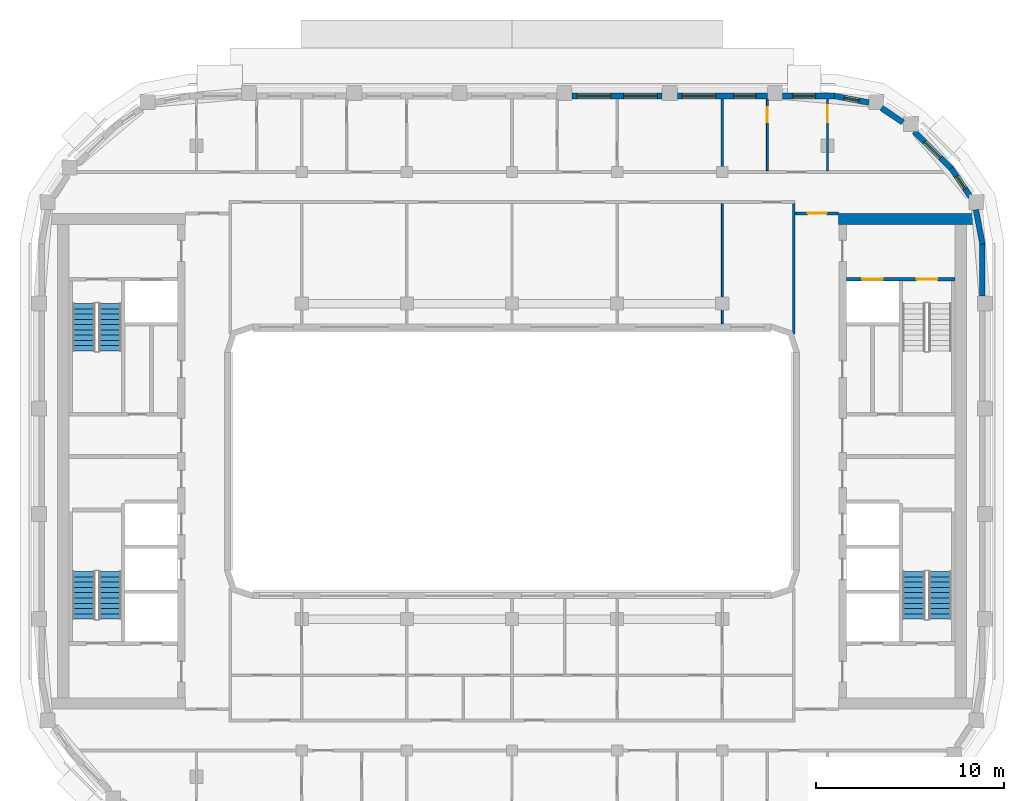
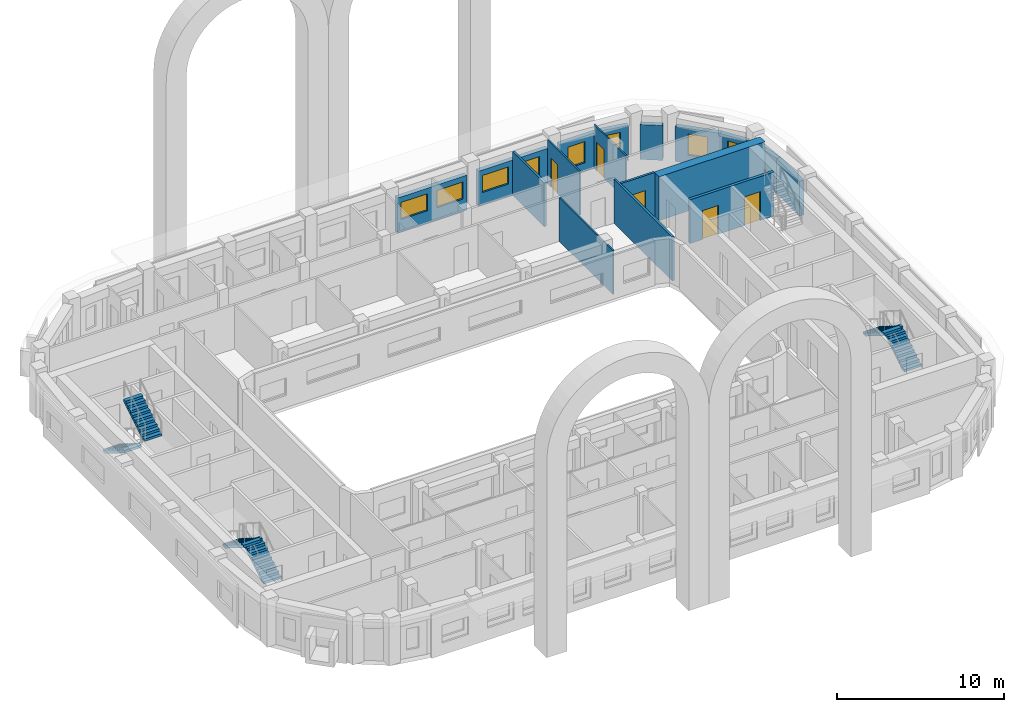
# One storey, part 8 of 18: 17 walls, 8 windows, 6 stair flights, 5 doors, 13 openings, 3 elements without a shape of their own.
"""IFC4 building model written with IfcOpenShell, lengths in metres."""

from ifc_helpers import new_model, si_unit, direction, frame, frame_2d, origin, place, context, subcontext, project, spatial, polyline, rectangle, outline, extrude, material, layer, layer_set, type_object, element, fill, aggregate, save


model = new_model("IFC4")

# Units and contexts
model_context = context("Model", 3, precision=1e-05, world=origin(), true_north=direction((0.0, 1.0)))
body_context = subcontext(model_context, "Body", "Model", "MODEL_VIEW")
ifc_project = project(units=[si_unit("LENGTHUNIT", "METRE"), si_unit("AREAUNIT", "SQUARE_METRE"), si_unit("VOLUMEUNIT", "CUBIC_METRE"), si_unit("PLANEANGLEUNIT", "RADIAN"), si_unit("MASSUNIT", "GRAM", prefix="KILO")], contexts=[model_context])

# Site, building, storey
site_placement = place(None, origin())
site = spatial("IfcSite", under=ifc_project, at=site_placement, CompositionType="ELEMENT")
building_placement = place(site_placement, origin())
building = spatial("IfcBuilding", under=site, at=building_placement, Name="Kiln Ring Residences", CompositionType="ELEMENT")
storey_placement = place(building_placement, frame((0.0, 0.0, 262.699951171875)))
storey = spatial("IfcBuildingStorey", under=building, at=storey_placement, Name="L68", CompositionType="ELEMENT", Elevation=262.699951171875)

# Wall, openings, doors
ifc_material_1 = material(Name="Concrete C40/50", Category="concrete")
ifc_layer_1 = layer(ifc_material_1, 0.199951171875)
ifc_layer_set_1 = layer_set([ifc_layer_1], Name="CORE-WALL-RC200")
wall_type_1 = type_object("IfcWallType", Name="CORE-WALL-RC200", PredefinedType="SHEAR", material=ifc_layer_set_1)
wall_1_placement = place(storey_placement, frame((17.800048828125, 9.699951171875, 0.0), z_axis=(0.0, 0.0, 1.0), x_axis=(1.0, 0.0, 0.0)))
wall_1 = element("IfcWall", 1, at=wall_1_placement, inside=storey, type_object=wall_type_1, Name="Core wall east L68 9", PredefinedType="SHEAR", context=body_context, shape_type="SweptSolid", body=[
    extrude(rectangle(XDim=5.800048828125, YDim=0.199951171875, at=frame_2d((2.89990234375, 0.0))), origin(), (0.0, 0.0, 1.0), 3.199951171875),
])
opening_1_placement = place(wall_1_placement, frame((0.85009765625, 0.0, 0.0)))
opening_1 = element("IfcOpeningElement", 2, at=opening_1_placement, cuts=wall_1, Name="Opening L68-CE07", PredefinedType="OPENING", context=body_context, shape_type="SweptSolid", body=[
    extrude(rectangle(XDim=1.10009765625, YDim=2.10009765625, at=frame_2d((0.550048828125, 1.050048828125))), frame((0.0, 0.10986328125, 0.0), z_axis=(0.0, -1.0, 0.0), x_axis=(1.0, 0.0, 0.0)), (0.0, 0.0, 1.0), 0.219970703125),
])
opening_2_placement = place(wall_1_placement, frame((3.75, 0.0, 0.0)))
opening_2 = element("IfcOpeningElement", 3, at=opening_2_placement, cuts=wall_1, Name="Opening L68-CE10", PredefinedType="OPENING", context=body_context, shape_type="SweptSolid", body=[
    extrude(rectangle(XDim=1.10009765625, YDim=2.10009765625, at=frame_2d((0.550048828125, 1.050048828125))), frame((0.0, 0.10986328125, 0.0), z_axis=(0.0, -1.0, 0.0), x_axis=(1.0, 0.0, 0.0)), (0.0, 0.0, 1.0), 0.219970703125),
])
ifc_material_2 = material(Name="Steel door leaf", Category="steel")
door_type_1 = type_object("IfcDoorType", Name="CORE-DOOR-LD", OperationType="DOUBLE_DOOR_SLIDING", PredefinedType="DOOR", material=ifc_material_2)
door_1_placement = place(opening_1_placement, origin())
door_1 = element("IfcDoor", 4, at=door_1_placement, inside=storey, type_object=door_type_1, Name="LD E-FF L68-CE07", OperationType="DOUBLE_DOOR_SLIDING", OverallHeight=2.10009765625, OverallWidth=1.10009765625, PredefinedType="DOOR", context=body_context, shape_type="SweptSolid", body=[
    extrude(rectangle(XDim=1.10009765625, YDim=2.10009765625, at=frame_2d((0.550048828125, 1.050048828125))), frame((0.0, 0.02490234375, 0.0), z_axis=(0.0, -1.0, 0.0), x_axis=(1.0, 0.0, 0.0)), (0.0, 0.0, 1.0), 0.050048828125),
])
fill(opening_1, door_1)
ifc_material_3 = material(Name="Steel door leaf", Category="steel")
door_type_2 = type_object("IfcDoorType", Name="CORE-DOOR-STAIR", OperationType="SINGLE_SWING_LEFT", PredefinedType="DOOR", material=ifc_material_3)
door_2_placement = place(opening_2_placement, origin())
door_2 = element("IfcDoor", 5, at=door_2_placement, inside=storey, type_object=door_type_2, Name="Stair E-STN L68-CE10", OperationType="SINGLE_SWING_LEFT", OverallHeight=2.10009765625, OverallWidth=1.10009765625, PredefinedType="DOOR", context=body_context, shape_type="SweptSolid", body=[
    extrude(rectangle(XDim=1.10009765625, YDim=2.10009765625, at=frame_2d((0.550048828125, 1.050048828125))), frame((0.0, 0.02490234375, 0.0), z_axis=(0.0, -1.0, 0.0), x_axis=(1.0, 0.0, 0.0)), (0.0, 0.0, 1.0), 0.050048828125),
])
fill(opening_2, door_2)

# Walls
ifc_material_4 = material(Name="Concrete C60/75", Category="concrete")
ifc_layer_2 = layer(ifc_material_4, 0.60009765625)
ifc_layer_set_2 = layer_set([ifc_layer_2], Name="CORE-WALL-RC600")
wall_type_2 = type_object("IfcWallType", Name="CORE-WALL-RC600", PredefinedType="SHEAR", material=ifc_layer_set_2)
wall_2_placement = place(storey_placement, frame((17.39990234375, 12.89990234375, 0.0), z_axis=(0.0, 0.0, 1.0), x_axis=(1.0, 0.0, 0.0)))
element("IfcWall", 6, at=wall_2_placement, inside=storey, type_object=wall_type_2, Name="Core wall east L68 4", PredefinedType="SHEAR", context=body_context, shape_type="SweptSolid", body=[
    extrude(rectangle(XDim=7.320068359375, YDim=0.60009765625, at=frame_2d((3.66015625, 0.0))), origin(), (0.0, 0.0, 1.0), 3.199951171875),
])
ifc_material_5 = material(Name="Brick masonry, dark clay brick", Category="masonry")
ifc_layer_3 = layer(ifc_material_5, 0.300048828125)
ifc_layer_set_3 = layer_set([ifc_layer_3], Name="EW-300 BRICK WALL")
wall_type_3 = type_object("IfcWallType", Name="EW-300 BRICK WALL", PredefinedType="SOLIDWALL", material=ifc_layer_set_3)
wall_3_placement = place(storey_placement, frame((25.050048828125, 8.800048828125, 0.0), z_axis=(0.0, 0.0, 1.0), x_axis=(0.0, 1.0, 0.0)))
element("IfcWall", 7, at=wall_3_placement, inside=storey, type_object=wall_type_3, Name="Facade wall L68 20", PredefinedType="SOLIDWALL", context=body_context, shape_type="SweptSolid", body=[
    extrude(rectangle(XDim=2.800048828125, YDim=0.300048828125, at=frame_2d((1.39990234375, 0.0))), origin(), (0.0, 0.0, 1.0), 2.550048828125),
])
wall_4_placement = place(storey_placement, frame((25.052734375, 11.57177734375, 0.0), z_axis=(0.0, 0.0, 1.0), x_axis=(-0.187408222942, 0.982282117303, 0.0)))
element("IfcWall", 8, at=wall_4_placement, inside=storey, type_object=wall_type_3, Name="Facade wall L68 21", PredefinedType="SOLIDWALL", context=body_context, shape_type="SweptSolid", body=[
    extrude(rectangle(XDim=1.8564453125, YDim=0.300048828125, at=frame_2d((0.92822265625, 0.0))), origin(), (0.0, 0.0, 1.0), 2.550048828125),
])

# Wall, opening, window
wall_5_placement = place(storey_placement, frame((24.422119140625, 14.07763671875, 0.0), z_axis=(0.0, 0.0, 1.0), x_axis=(-0.562054549384, 0.827100165347, 0.0)))
wall_5 = element("IfcWall", 9, at=wall_5_placement, inside=storey, type_object=wall_type_3, Name="Facade wall L68 22", PredefinedType="SOLIDWALL", context=body_context, shape_type="SweptSolid", body=[
    extrude(rectangle(XDim=1.85595703125, YDim=0.300048828125, at=frame_2d((0.927978515625, 0.0))), origin(), (0.0, 0.0, 1.0), 2.550048828125),
])
opening_3_placement = place(wall_5_placement, frame((0.528076171875, 0.0, 0.60009765625)))
opening_3 = element("IfcOpeningElement", 10, at=opening_3_placement, cuts=wall_5, Name="Opening W5", PredefinedType="OPENING", context=body_context, shape_type="SweptSolid", body=[
    extrude(rectangle(XDim=0.800048828125, YDim=1.550048828125, at=frame_2d((0.39990234375, 0.77490234375))), frame((0.0, 0.159912109375, 0.0), z_axis=(0.0, -1.0, 0.0), x_axis=(1.0, 0.0, 0.0)), (0.0, 0.0, 1.0), 0.320068359375),
])
ifc_material_6 = material(Name="Aluminium frame with double glazing", Category="aluminium")
window_type_1 = type_object("IfcWindowType", Name="WINDOW 800 x 1550", PartitioningType="SINGLE_PANEL", PredefinedType="WINDOW", material=ifc_material_6)
window_1_placement = place(opening_3_placement, origin())
window_1 = element("IfcWindow", 11, at=window_1_placement, inside=storey, type_object=window_type_1, Name="Window L68 18", OverallHeight=1.550048828125, OverallWidth=0.800048828125, PartitioningType="SINGLE_PANEL", PredefinedType="WINDOW", context=body_context, shape_type="SweptSolid", body=[
    extrude(rectangle(XDim=0.800048828125, YDim=1.550048828125, at=frame_2d((0.39990234375, 0.77490234375))), frame((0.0, 0.030029296875, 0.0), z_axis=(0.0, -1.0, 0.0), x_axis=(1.0, 0.0, 0.0)), (0.0, 0.0, 1.0), 0.06005859375),
])
fill(opening_3, window_1)

wall_6_placement = place(storey_placement, frame((23.39697265625, 15.591064453125, 0.0), z_axis=(0.0, 0.0, 1.0), x_axis=(-0.707150377276, 0.707063182409, 0.0)))
wall_6 = element("IfcWall", 12, at=wall_6_placement, inside=storey, type_object=wall_type_3, Name="Facade wall L68 23", PredefinedType="SOLIDWALL", context=body_context, shape_type="SweptSolid", body=[
    extrude(rectangle(XDim=2.800048828125, YDim=0.300048828125, at=frame_2d((1.39990234375, 0.0))), origin(), (0.0, 0.0, 1.0), 2.550048828125),
])
opening_4_placement = place(wall_6_placement, frame((0.800048828125, 0.0, 0.60009765625)))
opening_4 = element("IfcOpeningElement", 13, at=opening_4_placement, cuts=wall_6, Name="Opening W1", PredefinedType="OPENING", context=body_context, shape_type="SweptSolid", body=[
    extrude(rectangle(XDim=1.199951171875, YDim=1.550048828125, at=frame_2d((0.60009765625, 0.77490234375))), frame((0.0, 0.159912109375, 0.0), z_axis=(0.0, -1.0, 0.0), x_axis=(1.0, 0.0, 0.0)), (0.0, 0.0, 1.0), 0.320068359375),
])
ifc_material_7 = material(Name="Aluminium frame with double glazing", Category="aluminium")
window_type_2 = type_object("IfcWindowType", Name="WINDOW 1200 x 1550", PartitioningType="SINGLE_PANEL", PredefinedType="WINDOW", material=ifc_material_7)
window_2_placement = place(opening_4_placement, origin())
window_2 = element("IfcWindow", 14, at=window_2_placement, inside=storey, type_object=window_type_2, Name="Window L68 19", OverallHeight=1.550048828125, OverallWidth=1.199951171875, PartitioningType="SINGLE_PANEL", PredefinedType="WINDOW", context=body_context, shape_type="SweptSolid", body=[
    extrude(rectangle(XDim=1.199951171875, YDim=1.550048828125, at=frame_2d((0.60009765625, 0.77490234375))), frame((0.0, 0.030029296875, 0.0), z_axis=(0.0, -1.0, 0.0), x_axis=(1.0, 0.0, 0.0)), (0.0, 0.0, 1.0), 0.06005859375),
])
fill(opening_4, window_2)

# Wall
wall_7_placement = place(storey_placement, frame((20.816650390625, 18.048095703125, 0.0), z_axis=(0.0, 0.0, 1.0), x_axis=(-0.827025410886, 0.562164539747, 0.0)))
element("IfcWall", 15, at=wall_7_placement, inside=storey, type_object=wall_type_3, Name="Facade wall L68 24", PredefinedType="SOLIDWALL", context=body_context, shape_type="SweptSolid", body=[
    extrude(rectangle(XDim=1.377197265625, YDim=0.300048828125, at=frame_2d((0.6884765625, 0.0))), origin(), (0.0, 0.0, 1.0), 2.550048828125),
])

# Wall, opening, window
wall_8_placement = place(storey_placement, frame((18.9951171875, 19.10498046875, 0.0), z_axis=(0.0, 0.0, 1.0), x_axis=(-0.982301706131, 0.187305520826, 0.0)))
wall_8 = element("IfcWall", 16, at=wall_8_placement, inside=storey, type_object=wall_type_3, Name="Facade wall L68 25", PredefinedType="SOLIDWALL", context=body_context, shape_type="SweptSolid", body=[
    extrude(rectangle(XDim=1.856201171875, YDim=0.300048828125, at=frame_2d((0.92822265625, 0.0))), origin(), (0.0, 0.0, 1.0), 2.550048828125),
])
opening_5_placement = place(wall_8_placement, frame((0.528076171875, 0.0, 0.60009765625)))
opening_5 = element("IfcOpeningElement", 17, at=opening_5_placement, cuts=wall_8, Name="Opening W5", PredefinedType="OPENING", context=body_context, shape_type="SweptSolid", body=[
    extrude(rectangle(XDim=0.800048828125, YDim=1.550048828125, at=frame_2d((0.39990234375, 0.77490234375))), frame((0.0, 0.159912109375, 0.0), z_axis=(0.0, -1.0, 0.0), x_axis=(1.0, 0.0, 0.0)), (0.0, 0.0, 1.0), 0.320068359375),
])
window_3_placement = place(opening_5_placement, origin())
window_3 = element("IfcWindow", 18, at=window_3_placement, inside=storey, type_object=window_type_1, Name="Window L68 20", OverallHeight=1.550048828125, OverallWidth=0.800048828125, PartitioningType="SINGLE_PANEL", PredefinedType="WINDOW", context=body_context, shape_type="SweptSolid", body=[
    extrude(rectangle(XDim=0.800048828125, YDim=1.550048828125, at=frame_2d((0.39990234375, 0.77490234375))), frame((0.0, 0.030029296875, 0.0), z_axis=(0.0, -1.0, 0.0), x_axis=(1.0, 0.0, 0.0)), (0.0, 0.0, 1.0), 0.06005859375),
])
fill(opening_5, window_3)

wall_9_placement = place(storey_placement, frame((17.199951171875, 19.449951171875, 0.0), z_axis=(0.0, 0.0, 1.0), x_axis=(-1.0, 0.0, 0.0)))
wall_9 = element("IfcWall", 19, at=wall_9_placement, inside=storey, type_object=wall_type_3, Name="Facade wall L68 26", PredefinedType="SOLIDWALL", context=body_context, shape_type="SweptSolid", body=[
    extrude(rectangle(XDim=2.800048828125, YDim=0.300048828125, at=frame_2d((1.39990234375, 0.0))), origin(), (0.0, 0.0, 1.0), 2.550048828125),
])
opening_6_placement = place(wall_9_placement, frame((1.03759765625, 0.0, 0.60009765625)))
opening_6 = element("IfcOpeningElement", 20, at=opening_6_placement, cuts=wall_9, Name="Opening W1", PredefinedType="OPENING", context=body_context, shape_type="SweptSolid", body=[
    extrude(rectangle(XDim=1.199951171875, YDim=1.550048828125, at=frame_2d((0.60009765625, 0.77490234375))), frame((0.0, 0.159912109375, 0.0), z_axis=(0.0, -1.0, 0.0), x_axis=(1.0, 0.0, 0.0)), (0.0, 0.0, 1.0), 0.320068359375),
])
window_4_placement = place(opening_6_placement, origin())
window_4 = element("IfcWindow", 21, at=window_4_placement, inside=storey, type_object=window_type_2, Name="Window L68 21", OverallHeight=1.550048828125, OverallWidth=1.199951171875, PartitioningType="SINGLE_PANEL", PredefinedType="WINDOW", context=body_context, shape_type="SweptSolid", body=[
    extrude(rectangle(XDim=1.199951171875, YDim=1.550048828125, at=frame_2d((0.60009765625, 0.77490234375))), frame((0.0, 0.030029296875, 0.0), z_axis=(0.0, -1.0, 0.0), x_axis=(1.0, 0.0, 0.0)), (0.0, 0.0, 1.0), 0.06005859375),
])
fill(opening_6, window_4)

# Wall, openings, windows
wall_10_placement = place(storey_placement, frame((13.60009765625, 19.449951171875, 0.0), z_axis=(0.0, 0.0, 1.0), x_axis=(-1.0, 0.0, 0.0)))
wall_10 = element("IfcWall", 22, at=wall_10_placement, inside=storey, type_object=wall_type_3, Name="Facade wall L68 27", PredefinedType="SOLIDWALL", context=body_context, shape_type="SweptSolid", body=[
    extrude(rectangle(XDim=4.800048828125, YDim=0.300048828125, at=frame_2d((2.39990234375, 0.0))), origin(), (0.0, 0.0, 1.0), 2.550048828125),
])
opening_7_placement = place(wall_10_placement, frame((0.60009765625, 0.0, 0.60009765625)))
opening_7 = element("IfcOpeningElement", 23, at=opening_7_placement, cuts=wall_10, Name="Opening W1", PredefinedType="OPENING", context=body_context, shape_type="SweptSolid", body=[
    extrude(rectangle(XDim=1.199951171875, YDim=1.550048828125, at=frame_2d((0.60009765625, 0.77490234375))), frame((0.0, 0.159912109375, 0.0), z_axis=(0.0, -1.0, 0.0), x_axis=(1.0, 0.0, 0.0)), (0.0, 0.0, 1.0), 0.320068359375),
])
opening_8_placement = place(wall_10_placement, frame((2.737548828125, 0.0, 0.89990234375)))
opening_8 = element("IfcOpeningElement", 24, at=opening_8_placement, cuts=wall_10, Name="Opening W2", PredefinedType="OPENING", context=body_context, shape_type="SweptSolid", body=[
    extrude(rectangle(XDim=1.800048828125, YDim=1.25, at=frame_2d((0.89990234375, 0.625))), frame((0.0, 0.159912109375, 0.0), z_axis=(0.0, -1.0, 0.0), x_axis=(1.0, 0.0, 0.0)), (0.0, 0.0, 1.0), 0.320068359375),
])
window_5_placement = place(opening_7_placement, origin())
window_5 = element("IfcWindow", 25, at=window_5_placement, inside=storey, type_object=window_type_2, Name="Window L68 22", OverallHeight=1.550048828125, OverallWidth=1.199951171875, PartitioningType="SINGLE_PANEL", PredefinedType="WINDOW", context=body_context, shape_type="SweptSolid", body=[
    extrude(rectangle(XDim=1.199951171875, YDim=1.550048828125, at=frame_2d((0.60009765625, 0.77490234375))), frame((0.0, 0.030029296875, 0.0), z_axis=(0.0, -1.0, 0.0), x_axis=(1.0, 0.0, 0.0)), (0.0, 0.0, 1.0), 0.06005859375),
])
fill(opening_7, window_5)
ifc_material_8 = material(Name="Aluminium frame with double glazing", Category="aluminium")
window_type_3 = type_object("IfcWindowType", Name="WINDOW 1800 x 1250", PartitioningType="SINGLE_PANEL", PredefinedType="WINDOW", material=ifc_material_8)
window_6_placement = place(opening_8_placement, origin())
window_6 = element("IfcWindow", 26, at=window_6_placement, inside=storey, type_object=window_type_3, Name="Window L68 23", OverallHeight=1.25, OverallWidth=1.800048828125, PartitioningType="SINGLE_PANEL", PredefinedType="WINDOW", context=body_context, shape_type="SweptSolid", body=[
    extrude(rectangle(XDim=1.800048828125, YDim=1.25, at=frame_2d((0.89990234375, 0.625))), frame((0.0, 0.030029296875, 0.0), z_axis=(0.0, -1.0, 0.0), x_axis=(1.0, 0.0, 0.0)), (0.0, 0.0, 1.0), 0.06005859375),
])
fill(opening_8, window_6)

wall_11_placement = place(storey_placement, frame((8.0, 19.449951171875, 0.0), z_axis=(0.0, 0.0, 1.0), x_axis=(-1.0, 0.0, 0.0)))
wall_11 = element("IfcWall", 27, at=wall_11_placement, inside=storey, type_object=wall_type_3, Name="Facade wall L68 28", PredefinedType="SOLIDWALL", context=body_context, shape_type="SweptSolid", body=[
    extrude(rectangle(XDim=4.800048828125, YDim=0.300048828125, at=frame_2d((2.39990234375, 0.0))), origin(), (0.0, 0.0, 1.0), 2.550048828125),
])
opening_9_placement = place(wall_11_placement, frame((0.262451171875, 0.0, 0.89990234375)))
opening_9 = element("IfcOpeningElement", 28, at=opening_9_placement, cuts=wall_11, Name="Opening W2", PredefinedType="OPENING", context=body_context, shape_type="SweptSolid", body=[
    extrude(rectangle(XDim=1.800048828125, YDim=1.25, at=frame_2d((0.89990234375, 0.625))), frame((0.0, 0.159912109375, 0.0), z_axis=(0.0, -1.0, 0.0), x_axis=(1.0, 0.0, 0.0)), (0.0, 0.0, 1.0), 0.320068359375),
])
opening_10_placement = place(wall_11_placement, frame((2.737548828125, 0.0, 0.89990234375)))
opening_10 = element("IfcOpeningElement", 29, at=opening_10_placement, cuts=wall_11, Name="Opening W2", PredefinedType="OPENING", context=body_context, shape_type="SweptSolid", body=[
    extrude(rectangle(XDim=1.800048828125, YDim=1.25, at=frame_2d((0.89990234375, 0.625))), frame((0.0, 0.159912109375, 0.0), z_axis=(0.0, -1.0, 0.0), x_axis=(1.0, 0.0, 0.0)), (0.0, 0.0, 1.0), 0.320068359375),
])
window_7_placement = place(opening_9_placement, origin())
window_7 = element("IfcWindow", 30, at=window_7_placement, inside=storey, type_object=window_type_3, Name="Window L68 24", OverallHeight=1.25, OverallWidth=1.800048828125, PartitioningType="SINGLE_PANEL", PredefinedType="WINDOW", context=body_context, shape_type="SweptSolid", body=[
    extrude(rectangle(XDim=1.800048828125, YDim=1.25, at=frame_2d((0.89990234375, 0.625))), frame((0.0, 0.030029296875, 0.0), z_axis=(0.0, -1.0, 0.0), x_axis=(1.0, 0.0, 0.0)), (0.0, 0.0, 1.0), 0.06005859375),
])
fill(opening_9, window_7)
window_8_placement = place(opening_10_placement, origin())
window_8 = element("IfcWindow", 31, at=window_8_placement, inside=storey, type_object=window_type_3, Name="Window L68 25", OverallHeight=1.25, OverallWidth=1.800048828125, PartitioningType="SINGLE_PANEL", PredefinedType="WINDOW", context=body_context, shape_type="SweptSolid", body=[
    extrude(rectangle(XDim=1.800048828125, YDim=1.25, at=frame_2d((0.89990234375, 0.625))), frame((0.0, 0.030029296875, 0.0), z_axis=(0.0, -1.0, 0.0), x_axis=(1.0, 0.0, 0.0)), (0.0, 0.0, 1.0), 0.06005859375),
])
fill(opening_10, window_8)

# Wall
ifc_material_9 = material(Name="Gypsum board on steel studs", Category="steel")
ifc_layer_4 = layer(ifc_material_9, 0.10009765625)
ifc_layer_set_4 = layer_set([ifc_layer_4], Name="PARTITION-100")
wall_type_4 = type_object("IfcWallType", Name="PARTITION-100", PredefinedType="PARTITIONING", material=ifc_layer_set_4)
wall_12_placement = place(storey_placement, frame((11.199951171875, 7.320068359375, 0.0), z_axis=(0.0, 0.0, 1.0), x_axis=(0.0, 1.0, 0.0)))
element("IfcWall", 32, at=wall_12_placement, inside=storey, type_object=wall_type_4, Name="Partition 042", PredefinedType="PARTITIONING", context=body_context, shape_type="SweptSolid", body=[
    extrude(rectangle(XDim=6.405029296875, YDim=0.10009765625, at=frame_2d((3.20263671875, 0.0))), origin(), (0.0, 0.0, 1.0), 3.199951171875),
])

# Wall, opening, door
wall_13_placement = place(storey_placement, frame((13.60009765625, 15.47509765625, 0.0), z_axis=(0.0, 0.0, 1.0), x_axis=(0.0, 1.0, 0.0)))
wall_13 = element("IfcWall", 33, at=wall_13_placement, inside=storey, type_object=wall_type_4, Name="Partition 046", PredefinedType="PARTITIONING", context=body_context, shape_type="SweptSolid", body=[
    extrude(rectangle(XDim=3.804931640625, YDim=0.10009765625, at=frame_2d((1.90234375, 0.0))), origin(), (0.0, 0.0, 1.0), 3.199951171875),
])
opening_11_placement = place(wall_13_placement, frame((2.5849609375, 0.0, 0.0)))
opening_11 = element("IfcOpeningElement", 34, at=opening_11_placement, cuts=wall_13, Name="Opening L68-D021", PredefinedType="OPENING", context=body_context, shape_type="SweptSolid", body=[
    extrude(rectangle(XDim=0.800048828125, YDim=2.10009765625, at=frame_2d((0.39990234375, 1.050048828125))), frame((0.0, 0.06005859375, 0.0), z_axis=(0.0, -1.0, 0.0), x_axis=(1.0, 0.0, 0.0)), (0.0, 0.0, 1.0), 0.1201171875),
])
ifc_material_10 = material(Name="Timber door leaf", Category="wood")
door_type_3 = type_object("IfcDoorType", Name="FLAT-DOOR-800-PL", OperationType="SINGLE_SWING_LEFT", PredefinedType="DOOR", material=ifc_material_10)
door_3_placement = place(opening_11_placement, origin())
door_3 = element("IfcDoor", 35, at=door_3_placement, inside=storey, type_object=door_type_3, Name="Door L68-D021", OperationType="SINGLE_SWING_LEFT", OverallHeight=2.10009765625, OverallWidth=0.800048828125, PredefinedType="DOOR", context=body_context, shape_type="SweptSolid", body=[
    extrude(rectangle(XDim=0.800048828125, YDim=2.10009765625, at=frame_2d((0.39990234375, 1.050048828125))), frame((0.0, 0.02490234375, 0.0), z_axis=(0.0, -1.0, 0.0), x_axis=(1.0, 0.0, 0.0)), (0.0, 0.0, 1.0), 0.050048828125),
])
fill(opening_11, door_3)

wall_14_placement = place(storey_placement, frame((16.800048828125, 15.47509765625, 0.0), z_axis=(0.0, 0.0, 1.0), x_axis=(0.0, 1.0, 0.0)))
wall_14 = element("IfcWall", 36, at=wall_14_placement, inside=storey, type_object=wall_type_4, Name="Partition 050", PredefinedType="PARTITIONING", context=body_context, shape_type="SweptSolid", body=[
    extrude(rectangle(XDim=3.804931640625, YDim=0.10009765625, at=frame_2d((1.90234375, 0.0))), origin(), (0.0, 0.0, 1.0), 3.199951171875),
])
opening_12_placement = place(wall_14_placement, frame((2.575927734375, 0.0, 0.0)))
opening_12 = element("IfcOpeningElement", 37, at=opening_12_placement, cuts=wall_14, Name="Opening L68-D022", PredefinedType="OPENING", context=body_context, shape_type="SweptSolid", body=[
    extrude(rectangle(XDim=0.89990234375, YDim=2.10009765625, at=frame_2d((0.449951171875, 1.050048828125))), frame((0.0, 0.06005859375, 0.0), z_axis=(0.0, -1.0, 0.0), x_axis=(1.0, 0.0, 0.0)), (0.0, 0.0, 1.0), 0.1201171875),
])
ifc_material_11 = material(Name="Timber door leaf", Category="wood")
door_type_4 = type_object("IfcDoorType", Name="FLAT-DOOR-900-PL", OperationType="SINGLE_SWING_LEFT", PredefinedType="DOOR", material=ifc_material_11)
door_4_placement = place(opening_12_placement, origin())
door_4 = element("IfcDoor", 38, at=door_4_placement, inside=storey, type_object=door_type_4, Name="Door L68-D022", OperationType="SINGLE_SWING_RIGHT", OverallHeight=2.10009765625, OverallWidth=0.89990234375, PredefinedType="DOOR", context=body_context, shape_type="SweptSolid", body=[
    extrude(rectangle(XDim=0.89990234375, YDim=2.10009765625, at=frame_2d((0.449951171875, 1.050048828125))), frame((0.0, 0.02490234375, 0.0), z_axis=(0.0, -1.0, 0.0), x_axis=(1.0, 0.0, 0.0)), (0.0, 0.0, 1.0), 0.050048828125),
])
fill(opening_12, door_4)

ifc_material_12 = material(Name="Brick masonry partition", Category="masonry")
ifc_layer_5 = layer(ifc_material_12, 0.14990234375)
ifc_layer_set_5 = layer_set([ifc_layer_5], Name="PARTITION-150-ei60")
wall_type_5 = type_object("IfcWallType", Name="PARTITION-150-ei60", PredefinedType="PARTITIONING", material=ifc_layer_set_5)
wall_15_placement = place(storey_placement, frame((15.074951171875, 13.199951171875, 0.0), z_axis=(0.0, 0.0, 1.0), x_axis=(1.0, 0.0, 0.0)))
wall_15 = element("IfcWall", 39, at=wall_15_placement, inside=storey, type_object=wall_type_5, Name="Partition 006", PredefinedType="PARTITIONING", context=body_context, shape_type="SweptSolid", body=[
    extrude(rectangle(XDim=2.324951171875, YDim=0.14990234375, at=frame_2d((1.16259765625, 0.0))), origin(), (0.0, 0.0, 1.0), 3.199951171875),
])
opening_13_placement = place(wall_15_placement, frame((0.675048828125, 0.0, 0.0)))
opening_13 = element("IfcOpeningElement", 40, at=opening_13_placement, cuts=wall_15, Name="Opening L68-D002", PredefinedType="OPENING", context=body_context, shape_type="SweptSolid", body=[
    extrude(rectangle(XDim=1.0, YDim=2.10009765625, at=frame_2d((0.5, 1.050048828125))), frame((0.0, 0.0849609375, 0.0), z_axis=(0.0, -1.0, 0.0), x_axis=(1.0, 0.0, 0.0)), (0.0, 0.0, 1.0), 0.169921875),
])
ifc_material_13 = material(Name="Steel faced fire door leaf", Category="steel")
door_type_5 = type_object("IfcDoorType", Name="FLAT-DOOR-1000-FR", OperationType="SINGLE_SWING_LEFT", PredefinedType="DOOR", material=ifc_material_13)
door_5_placement = place(opening_13_placement, origin())
door_5 = element("IfcDoor", 41, at=door_5_placement, inside=storey, type_object=door_type_5, Name="Door L68-D002", OperationType="SINGLE_SWING_LEFT", OverallHeight=2.10009765625, OverallWidth=1.0, PredefinedType="DOOR", context=body_context, shape_type="SweptSolid", body=[
    extrude(rectangle(XDim=1.0, YDim=2.10009765625, at=frame_2d((0.5, 1.050048828125))), frame((0.0, 0.02490234375, 0.0), z_axis=(0.0, -1.0, 0.0), x_axis=(1.0, 0.0, 0.0)), (0.0, 0.0, 1.0), 0.050048828125),
])
fill(opening_13, door_5)

# Walls
wall_16_placement = place(storey_placement, frame((11.199951171875, 15.47509765625, 0.0), z_axis=(0.0, 0.0, 1.0), x_axis=(0.0, 1.0, 0.0)))
element("IfcWall", 42, at=wall_16_placement, inside=storey, type_object=wall_type_5, Name="Partition 044", PredefinedType="PARTITIONING", context=body_context, shape_type="SweptSolid", body=[
    extrude(rectangle(XDim=3.804931640625, YDim=0.14990234375, at=frame_2d((1.90234375, 0.0))), origin(), (0.0, 0.0, 1.0), 3.199951171875),
])
wall_17_placement = place(storey_placement, frame((15.0, 6.768798828125, 0.0), z_axis=(0.0, 0.0, 1.0), x_axis=(0.0, 1.0, 0.0)))
element("IfcWall", 43, at=wall_17_placement, inside=storey, type_object=wall_type_5, Name="Partition 048", PredefinedType="PARTITIONING", context=body_context, shape_type="SweptSolid", body=[
    extrude(rectangle(XDim=6.956298828125, YDim=0.14990234375, at=frame_2d((3.47802734375, 0.0))), origin(), (0.0, 0.0, 1.0), 3.199951171875),
])

# Stair, stair flights
ifc_material_14 = material(Name="Concrete C40/50", Category="concrete")
stair_type = type_object("IfcStairType", Name="CORE-STAIR", PredefinedType="HALF_TURN_STAIR", material=ifc_material_14)
placement = place(storey_placement, origin())
stair_1 = element("IfcStair", 44, at=placement, inside=storey, type_object=stair_type, Name="L68 stair W-STN", PredefinedType="HALF_TURN_STAIR")
ifc_material_15 = material(Name="Concrete C40/50", Category="concrete")
stair_flight_type = type_object("IfcStairFlightType", Name="CORE-STAIR-FLIGHT", PredefinedType="STRAIGHT", material=ifc_material_15)
stair_flight_1_placement = place(storey_placement, frame((-22.800048828125, 8.39990234375, 0.0), z_axis=(0.0, 0.0, 1.0), x_axis=(0.0, -1.0, 0.0)))
stair_flight_1 = element("IfcStairFlight", 45, at=stair_flight_1_placement, type_object=stair_flight_type, Name="W-STN flight 1", NumberOfRisers=10, NumberOfTreads=9, PredefinedType="STRAIGHT", RiserHeight=0.175, TreadLength=0.28, context=body_context, shape_type="SweptSolid", body=[
    extrude(outline(polyline([(0.0, 0.0), (0.0, 0.175048828125), (0.280029296875, 0.175048828125), (0.280029296875, 0.35009765625), (0.56005859375, 0.35009765625), (0.56005859375, 0.52490234375), (0.840087890625, 0.52490234375), (0.840087890625, 0.699951171875), (1.1201171875, 0.699951171875), (1.1201171875, 0.875), (1.39990234375, 0.875), (1.39990234375, 1.050048828125), (1.679931640625, 1.050048828125), (1.679931640625, 1.22509765625), (1.9599609375, 1.22509765625), (1.9599609375, 1.39990234375), (2.239990234375, 1.39990234375), (2.239990234375, 1.574951171875), (2.52001953125, 1.574951171875), (2.52001953125, 1.75), (2.52001953125, 1.398193359375), (0.28271484375, 0.0), (0.0, 0.0)])), frame((0.0, 0.60009765625, 0.0), z_axis=(0.0, -1.0, 0.0), x_axis=(1.0, 0.0, 0.0)), (0.0, 0.0, 1.0), 1.199951171875),
])
stair_flight_2_placement = place(storey_placement, frame((-21.39990234375, 5.8798828125, 1.75), z_axis=(0.0, 0.0, 1.0), x_axis=(0.0, 1.0, 0.0)))
stair_flight_2 = element("IfcStairFlight", 46, at=stair_flight_2_placement, type_object=stair_flight_type, Name="W-STN flight 2", NumberOfRisers=10, NumberOfTreads=9, PredefinedType="STRAIGHT", RiserHeight=0.175, TreadLength=0.28, context=body_context, shape_type="SweptSolid", body=[
    extrude(outline(polyline([(0.0, 0.0), (0.0, 0.175048828125), (0.280029296875, 0.175048828125), (0.280029296875, 0.35009765625), (0.56005859375, 0.35009765625), (0.56005859375, 0.52490234375), (0.840087890625, 0.52490234375), (0.840087890625, 0.699951171875), (1.1201171875, 0.699951171875), (1.1201171875, 0.875), (1.39990234375, 0.875), (1.39990234375, 1.050048828125), (1.679931640625, 1.050048828125), (1.679931640625, 1.22509765625), (1.9599609375, 1.22509765625), (1.9599609375, 1.39990234375), (2.239990234375, 1.39990234375), (2.239990234375, 1.574951171875), (2.52001953125, 1.574951171875), (2.52001953125, 1.75), (2.52001953125, 1.398193359375), (0.28271484375, 0.0), (0.0, 0.0)])), frame((0.0, 0.60009765625, 0.0), z_axis=(0.0, -1.0, 0.0), x_axis=(1.0, 0.0, 0.0)), (0.0, 0.0, 1.0), 1.199951171875),
])
aggregate(stair_1, [stair_flight_1, stair_flight_2])

stair_2 = element("IfcStair", 47, at=placement, inside=storey, type_object=stair_type, Name="L68 stair W-STS", PredefinedType="HALF_TURN_STAIR")
stair_flight_3_placement = place(storey_placement, frame((-21.39990234375, -8.39990234375, 0.0), z_axis=(0.0, 0.0, 1.0), x_axis=(0.0, 1.0, 0.0)))
stair_flight_3 = element("IfcStairFlight", 48, at=stair_flight_3_placement, type_object=stair_flight_type, Name="W-STS flight 1", NumberOfRisers=10, NumberOfTreads=9, PredefinedType="STRAIGHT", RiserHeight=0.175, TreadLength=0.28, context=body_context, shape_type="SweptSolid", body=[
    extrude(outline(polyline([(0.0, 0.0), (0.0, 0.175048828125), (0.280029296875, 0.175048828125), (0.280029296875, 0.35009765625), (0.56005859375, 0.35009765625), (0.56005859375, 0.52490234375), (0.840087890625, 0.52490234375), (0.840087890625, 0.699951171875), (1.1201171875, 0.699951171875), (1.1201171875, 0.875), (1.39990234375, 0.875), (1.39990234375, 1.050048828125), (1.679931640625, 1.050048828125), (1.679931640625, 1.22509765625), (1.9599609375, 1.22509765625), (1.9599609375, 1.39990234375), (2.239990234375, 1.39990234375), (2.239990234375, 1.574951171875), (2.52001953125, 1.574951171875), (2.52001953125, 1.75), (2.52001953125, 1.398193359375), (0.28271484375, 0.0), (0.0, 0.0)])), frame((0.0, 0.60009765625, 0.0), z_axis=(0.0, -1.0, 0.0), x_axis=(1.0, 0.0, 0.0)), (0.0, 0.0, 1.0), 1.199951171875),
])
stair_flight_4_placement = place(storey_placement, frame((-22.800048828125, -5.8798828125, 1.75), z_axis=(0.0, 0.0, 1.0), x_axis=(0.0, -1.0, 0.0)))
stair_flight_4 = element("IfcStairFlight", 49, at=stair_flight_4_placement, type_object=stair_flight_type, Name="W-STS flight 2", NumberOfRisers=10, NumberOfTreads=9, PredefinedType="STRAIGHT", RiserHeight=0.175, TreadLength=0.28, context=body_context, shape_type="SweptSolid", body=[
    extrude(outline(polyline([(0.0, 0.0), (0.0, 0.175048828125), (0.280029296875, 0.175048828125), (0.280029296875, 0.35009765625), (0.56005859375, 0.35009765625), (0.56005859375, 0.52490234375), (0.840087890625, 0.52490234375), (0.840087890625, 0.699951171875), (1.1201171875, 0.699951171875), (1.1201171875, 0.875), (1.39990234375, 0.875), (1.39990234375, 1.050048828125), (1.679931640625, 1.050048828125), (1.679931640625, 1.22509765625), (1.9599609375, 1.22509765625), (1.9599609375, 1.39990234375), (2.239990234375, 1.39990234375), (2.239990234375, 1.574951171875), (2.52001953125, 1.574951171875), (2.52001953125, 1.75), (2.52001953125, 1.398193359375), (0.28271484375, 0.0), (0.0, 0.0)])), frame((0.0, 0.60009765625, 0.0), z_axis=(0.0, -1.0, 0.0), x_axis=(1.0, 0.0, 0.0)), (0.0, 0.0, 1.0), 1.199951171875),
])
aggregate(stair_2, [stair_flight_3, stair_flight_4])

stair_3 = element("IfcStair", 50, at=placement, inside=storey, type_object=stair_type, Name="L68 stair E-STS", PredefinedType="HALF_TURN_STAIR")
stair_flight_5_placement = place(storey_placement, frame((22.800048828125, -8.39990234375, 0.0), z_axis=(0.0, 0.0, 1.0), x_axis=(0.0, 1.0, 0.0)))
stair_flight_5 = element("IfcStairFlight", 51, at=stair_flight_5_placement, type_object=stair_flight_type, Name="E-STS flight 1", NumberOfRisers=10, NumberOfTreads=9, PredefinedType="STRAIGHT", RiserHeight=0.175, TreadLength=0.28, context=body_context, shape_type="SweptSolid", body=[
    extrude(outline(polyline([(0.0, 0.0), (0.0, 0.175048828125), (0.280029296875, 0.175048828125), (0.280029296875, 0.35009765625), (0.56005859375, 0.35009765625), (0.56005859375, 0.52490234375), (0.840087890625, 0.52490234375), (0.840087890625, 0.699951171875), (1.1201171875, 0.699951171875), (1.1201171875, 0.875), (1.39990234375, 0.875), (1.39990234375, 1.050048828125), (1.679931640625, 1.050048828125), (1.679931640625, 1.22509765625), (1.9599609375, 1.22509765625), (1.9599609375, 1.39990234375), (2.239990234375, 1.39990234375), (2.239990234375, 1.574951171875), (2.52001953125, 1.574951171875), (2.52001953125, 1.75), (2.52001953125, 1.398193359375), (0.28271484375, 0.0), (0.0, 0.0)])), frame((0.0, 0.60009765625, 0.0), z_axis=(0.0, -1.0, 0.0), x_axis=(1.0, 0.0, 0.0)), (0.0, 0.0, 1.0), 1.199951171875),
])
stair_flight_6_placement = place(storey_placement, frame((21.39990234375, -5.8798828125, 1.75), z_axis=(0.0, 0.0, 1.0), x_axis=(0.0, -1.0, 0.0)))
stair_flight_6 = element("IfcStairFlight", 52, at=stair_flight_6_placement, type_object=stair_flight_type, Name="E-STS flight 2", NumberOfRisers=10, NumberOfTreads=9, PredefinedType="STRAIGHT", RiserHeight=0.175, TreadLength=0.28, context=body_context, shape_type="SweptSolid", body=[
    extrude(outline(polyline([(0.0, 0.0), (0.0, 0.175048828125), (0.280029296875, 0.175048828125), (0.280029296875, 0.35009765625), (0.56005859375, 0.35009765625), (0.56005859375, 0.52490234375), (0.840087890625, 0.52490234375), (0.840087890625, 0.699951171875), (1.1201171875, 0.699951171875), (1.1201171875, 0.875), (1.39990234375, 0.875), (1.39990234375, 1.050048828125), (1.679931640625, 1.050048828125), (1.679931640625, 1.22509765625), (1.9599609375, 1.22509765625), (1.9599609375, 1.39990234375), (2.239990234375, 1.39990234375), (2.239990234375, 1.574951171875), (2.52001953125, 1.574951171875), (2.52001953125, 1.75), (2.52001953125, 1.398193359375), (0.28271484375, 0.0), (0.0, 0.0)])), frame((0.0, 0.60009765625, 0.0), z_axis=(0.0, -1.0, 0.0), x_axis=(1.0, 0.0, 0.0)), (0.0, 0.0, 1.0), 1.199951171875),
])
aggregate(stair_3, [stair_flight_5, stair_flight_6])

save(model, "model.ifc")
